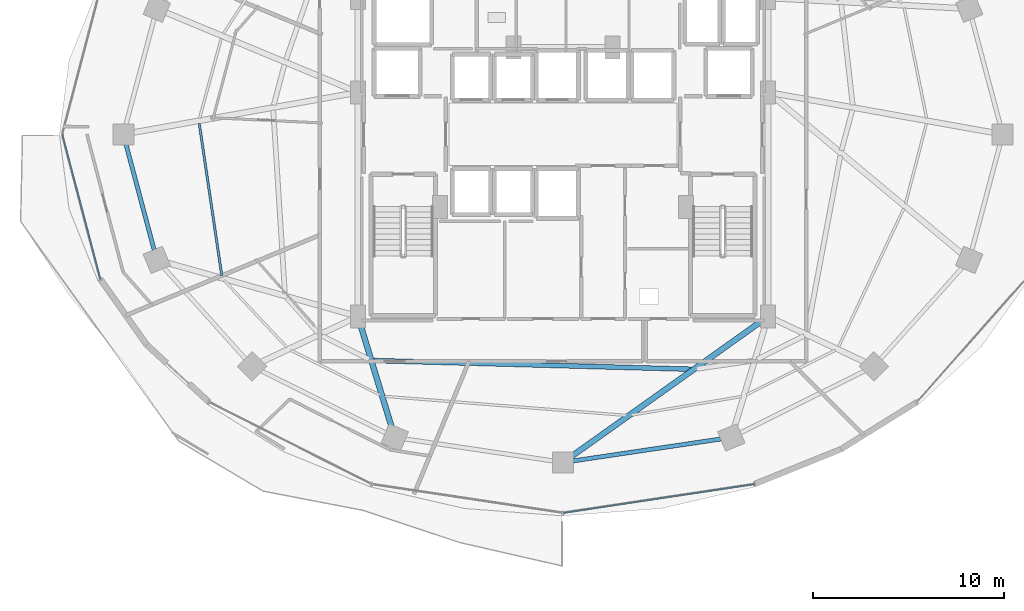
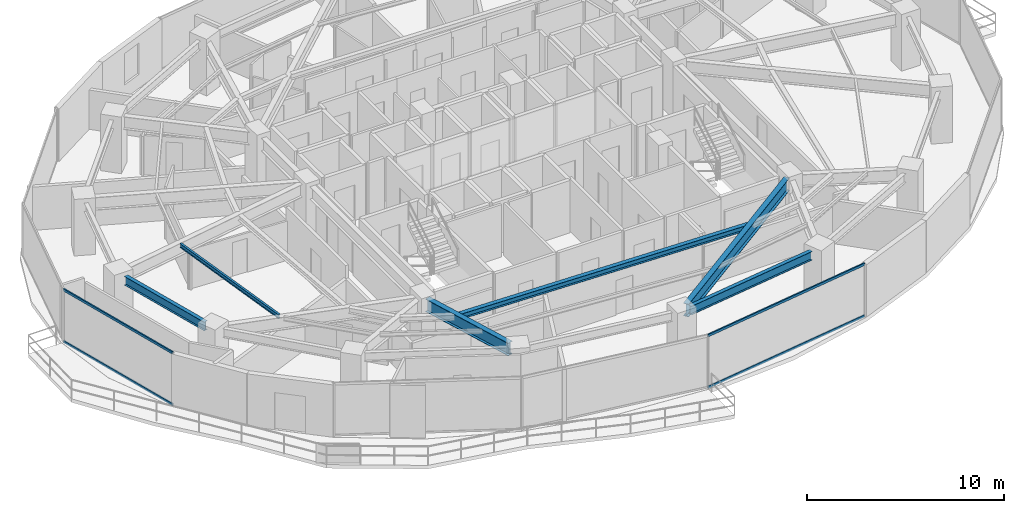
# One storey, part 6 of 31: 6 beams, 4 members, 2 elements without a shape of their own.
"""IFC4 building model written with IfcOpenShell, lengths in metres."""

from ifc_helpers import new_model, si_unit, direction, frame, origin, origin_2d, place, context, subcontext, project, spatial, hollow_rectangle, i_section, extrude, material, material_profile, profile_set, type_object, element, aggregate, save


model = new_model("IFC4")

# Units and contexts
model_context = context("Model", 3, precision=1e-05, world=origin(), true_north=direction((0.0, 1.0)))
body_context = subcontext(model_context, "Body", "Model", "MODEL_VIEW")
ifc_project = project(units=[si_unit("LENGTHUNIT", "METRE"), si_unit("AREAUNIT", "SQUARE_METRE"), si_unit("VOLUMEUNIT", "CUBIC_METRE"), si_unit("PLANEANGLEUNIT", "RADIAN"), si_unit("MASSUNIT", "GRAM", prefix="KILO")], contexts=[model_context])

# Site, building, storey
site_placement = place(None, origin())
site = spatial("IfcSite", under=ifc_project, at=site_placement, CompositionType="ELEMENT")
building_placement = place(site_placement, origin())
building = spatial("IfcBuilding", under=site, at=building_placement, Name="Vorneva Point Tower", CompositionType="ELEMENT")
storey_placement = place(building_placement, frame((0.0, 0.0, 99.800048828125)))
storey = spatial("IfcBuildingStorey", under=building, at=storey_placement, Name="L26", CompositionType="ELEMENT", Elevation=99.800048828125)

# Beams
ifc_material_1 = material(Name="Steel S355", Category="steel")
ifc_material_profile_1 = material_profile(ifc_material_1, i_section(OverallWidth=0.300048828125, OverallDepth=0.7880859375, WebThickness=0.014404296875, FlangeThickness=0.02197265625, at=origin_2d()), Name="80Sh1")
ifc_profile_set_1 = profile_set([ifc_material_profile_1], Name="Steel S355")
beam_type_1 = type_object("IfcBeamType", Name="BM-GRD-80Sh1", PredefinedType="USERDEFINED", material=ifc_profile_set_1)
beam_1_placement = place(storey_placement, frame((29.0224609375, 10.6240234375, 2.845947265625), z_axis=(-0.291034888253, 0.956712440506, 0.0), x_axis=(-0.956712440506, -0.291034888253, 0.0)))
element("IfcBeam", 1, at=beam_1_placement, inside=storey, type_object=beam_type_1, Name="L26 Radial Primary Girder 12", ObjectType="GIRDER", PredefinedType="USERDEFINED", context=body_context, shape_type="SweptSolid", body=[
    extrude(i_section(OverallWidth=0.300048828125, OverallDepth=0.7880859375, WebThickness=0.014404296875, FlangeThickness=0.02197265625, at=origin_2d()), origin(), (0.0, 0.0, 1.0), 5.74951171875),
])
beam_2_placement = place(storey_placement, frame((38.438232421875, 9.11181640625, 2.845947265625), z_axis=(0.814750142675, 0.5798122153, 0.0), x_axis=(-0.5798122153, 0.814750142675, 0.0)))
element("IfcBeam", 2, at=beam_2_placement, inside=storey, type_object=beam_type_1, Name="L26 Radial Primary Girder 13", ObjectType="GIRDER", PredefinedType="USERDEFINED", context=body_context, shape_type="SweptSolid", body=[
    extrude(i_section(OverallWidth=0.300048828125, OverallDepth=0.7880859375, WebThickness=0.014404296875, FlangeThickness=0.02197265625, at=origin_2d()), origin(), (0.0, 0.0, 1.0), 12.316162109375),
])
ifc_material_profile_2 = material_profile(ifc_material_1, i_section(OverallWidth=0.1240234375, OverallDepth=0.248046875, WebThickness=0.0048828125, FlangeThickness=0.008056640625, at=origin_2d()), Name="25B1")
ifc_profile_set_2 = profile_set([ifc_material_profile_2], Name="Steel S355")
beam_type_2 = type_object("IfcBeamType", Name="BM-JST-25B1", PredefinedType="JOIST", material=ifc_profile_set_2)
beam_3_placement = place(storey_placement, frame((18.930419921875, 26.57177734375, 3.115966796875), z_axis=(0.146468614571, -0.989215317788, 0.0), x_axis=(0.989215317788, 0.146468614571, 0.0)))
element("IfcBeam", 3, at=beam_3_placement, inside=storey, type_object=beam_type_2, Name="L26 Secondary Floor Beam 1.09", PredefinedType="JOIST", context=body_context, shape_type="SweptSolid", body=[
    extrude(i_section(OverallWidth=0.1240234375, OverallDepth=0.248046875, WebThickness=0.0048828125, FlangeThickness=0.008056640625, at=origin_2d()), origin(), (0.0, 0.0, 1.0), 8.069091796875),
])
ifc_material_profile_3 = material_profile(ifc_material_1, i_section(OverallWidth=0.2490234375, OverallDepth=0.333984375, WebThickness=0.008056640625, FlangeThickness=0.010986328125, at=origin_2d()), Name="35Sh1")
ifc_profile_set_3 = profile_set([ifc_material_profile_3], Name="Steel S355")
beam_type_3 = type_object("IfcBeamType", Name="BM-SEC-35Sh1", PredefinedType="BEAM", material=ifc_profile_set_3)
beam_4_placement = place(storey_placement, frame((28.08935546875, 14.140625, 3.072998046875), z_axis=(0.999626340984, -0.02733456441, 0.0), x_axis=(0.02733456441, 0.999626340984, 0.0)))
element("IfcBeam", 4, at=beam_4_placement, inside=storey, type_object=beam_type_3, Name="L26 Secondary Floor Beam 2.12", PredefinedType="BEAM", context=body_context, shape_type="SweptSolid", body=[
    extrude(i_section(OverallWidth=0.2490234375, OverallDepth=0.333984375, WebThickness=0.008056640625, FlangeThickness=0.010986328125, at=origin_2d()), origin(), (0.0, 0.0, 1.0), 16.639404296875),
])
ifc_material_profile_4 = material_profile(ifc_material_1, i_section(OverallWidth=0.219970703125, OverallDepth=0.54296875, WebThickness=0.009521484375, FlangeThickness=0.013427734375, at=origin_2d()), Name="55B1")
ifc_profile_set_4 = profile_set([ifc_material_profile_4], Name="Steel S355")
beam_type_4 = type_object("IfcBeamType", Name="BM-SPN-55B1", PredefinedType="SPANDREL", material=ifc_profile_set_4)
beam_5_placement = place(storey_placement, frame((15.087890625, 25.483154296875, 2.968505859375), z_axis=(0.257572674071, -0.966258928845, 0.0), x_axis=(0.966258928845, 0.257572674071, 0.0)))
element("IfcBeam", 5, at=beam_5_placement, inside=storey, type_object=beam_type_4, Name="L26 Perimeter Spandrel Ring Beam 09", PredefinedType="SPANDREL", context=body_context, shape_type="SweptSolid", body=[
    extrude(i_section(OverallWidth=0.219970703125, OverallDepth=0.54296875, WebThickness=0.009521484375, FlangeThickness=0.013427734375, at=origin_2d()), origin(), (0.0, 0.0, 1.0), 5.7421875),
])
beam_6_placement = place(storey_placement, frame((38.529296875, 8.878662109375, 2.968505859375), z_axis=(0.989164507783, 0.146811363806, 0.0), x_axis=(-0.146811363806, 0.989164507783, 0.0)))
element("IfcBeam", 6, at=beam_6_placement, inside=storey, type_object=beam_type_4, Name="L26 Perimeter Spandrel Ring Beam 13", PredefinedType="SPANDREL", context=body_context, shape_type="SweptSolid", body=[
    extrude(i_section(OverallWidth=0.219970703125, OverallDepth=0.54296875, WebThickness=0.009521484375, FlangeThickness=0.013427734375, at=origin_2d()), origin(), (0.0, 0.0, 1.0), 7.847412109375),
])

# Curtain wall, members
ifc_material_2 = material(Name="Pale anodised aluminium", Category="aluminium")
curtain_wall_type = type_object("IfcCurtainWallType", Name="CW-HTL-SYS", PredefinedType="NOTDEFINED", material=ifc_material_2)
curtain_wall_1_placement = place(storey_placement, origin())
curtain_wall_1 = element("IfcCurtainWall", 7, at=curtain_wall_1_placement, inside=storey, type_object=curtain_wall_type, Name="L26 Unitised Curtain Wall CW-L26-R03", PredefinedType="NOTDEFINED")
ifc_material_profile_5 = material_profile(ifc_material_2, hollow_rectangle(XDim=0.074951171875, YDim=0.14990234375, WallThickness=0.00390625, at=origin_2d()), Name="AL-TRN 150x75x4")
ifc_profile_set_5 = profile_set([ifc_material_profile_5], Name="Pale anodised aluminium")
member_type = type_object("IfcMemberType", Name="CW-TRN-150", PredefinedType="USERDEFINED", material=ifc_profile_set_5)
member_1_placement = place(storey_placement, frame((11.75, 26.0, 0.02001953125), z_axis=(0.254409150465, -0.967096677773, 0.0), x_axis=(0.967096677773, 0.254409150465, 0.0)))
member_1 = element("IfcMember", 8, at=member_1_placement, type_object=member_type, Name="CW-L26-R03 Transom 03.1", ObjectType="TRANSOM", PredefinedType="USERDEFINED", context=body_context, shape_type="SweptSolid", body=[
    extrude(hollow_rectangle(XDim=0.074951171875, YDim=0.14990234375, WallThickness=0.00390625, at=origin_2d()), origin(), (0.0, 0.0, 1.0), 7.854736328125),
])
member_2_placement = place(storey_placement, frame((11.75, 26.0, 3.219970703125), z_axis=(0.254409150465, -0.967096677773, 0.0), x_axis=(0.967096677773, 0.254409150465, 0.0)))
member_2 = element("IfcMember", 9, at=member_2_placement, type_object=member_type, Name="CW-L26-R03 Transom 03.2", ObjectType="TRANSOM", PredefinedType="USERDEFINED", context=body_context, shape_type="SweptSolid", body=[
    extrude(hollow_rectangle(XDim=0.074951171875, YDim=0.14990234375, WallThickness=0.00390625, at=origin_2d()), origin(), (0.0, 0.0, 1.0), 7.854736328125),
])
aggregate(curtain_wall_1, [member_1, member_2])

curtain_wall_2_placement = place(storey_placement, origin())
curtain_wall_2 = element("IfcCurtainWall", 10, at=curtain_wall_2_placement, inside=storey, type_object=curtain_wall_type, Name="L26 Unitised Curtain Wall CW-L26-R04", PredefinedType="NOTDEFINED")
member_3_placement = place(storey_placement, frame((38.0, 6.14990234375, 0.02001953125), z_axis=(0.988875982167, 0.148742367512, 0.0), x_axis=(-0.148742367512, 0.988875982167, 0.0)))
member_3 = element("IfcMember", 11, at=member_3_placement, type_object=member_type, Name="CW-L26-R04 Transom 03.1", ObjectType="TRANSOM", PredefinedType="USERDEFINED", context=body_context, shape_type="SweptSolid", body=[
    extrude(hollow_rectangle(XDim=0.074951171875, YDim=0.14990234375, WallThickness=0.00390625, at=origin_2d()), origin(), (0.0, 0.0, 1.0), 10.158447265625),
])
member_4_placement = place(storey_placement, frame((38.0, 6.14990234375, 3.219970703125), z_axis=(0.988875982167, 0.148742367512, 0.0), x_axis=(-0.148742367512, 0.988875982167, 0.0)))
member_4 = element("IfcMember", 12, at=member_4_placement, type_object=member_type, Name="CW-L26-R04 Transom 03.2", ObjectType="TRANSOM", PredefinedType="USERDEFINED", context=body_context, shape_type="SweptSolid", body=[
    extrude(hollow_rectangle(XDim=0.074951171875, YDim=0.14990234375, WallThickness=0.00390625, at=origin_2d()), origin(), (0.0, 0.0, 1.0), 10.158447265625),
])
aggregate(curtain_wall_2, [member_3, member_4])

save(model, "model.ifc")
